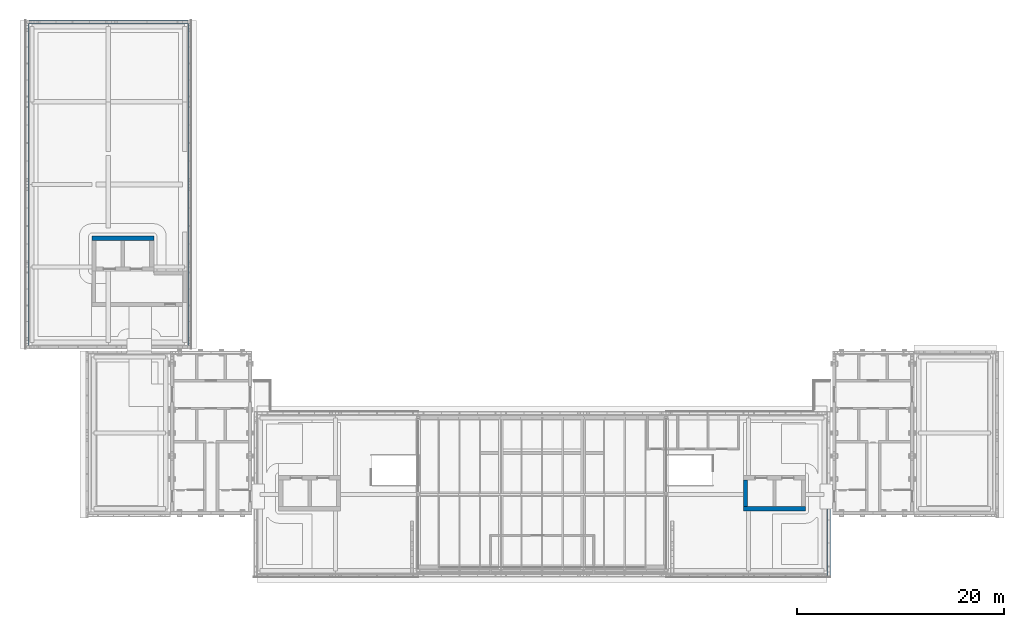
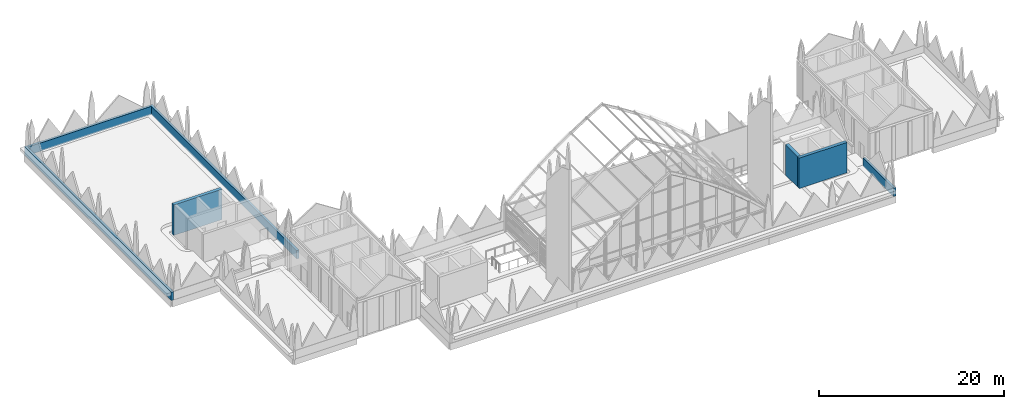
# One storey, part 12 of 18: 7 walls.
"""IFC4 building model written with IfcOpenShell, lengths in metres."""

from ifc_helpers import new_model, si_unit, direction, frame, frame_2d, origin, place, context, subcontext, project, spatial, rectangle, extrude, material, layer, layer_set, type_object, element, save


model = new_model("IFC4")

# Units and contexts
model_context = context("Model", 3, precision=1e-05, world=origin(), true_north=direction((0.0, 1.0)))
body_context = subcontext(model_context, "Body", "Model", "MODEL_VIEW")
ifc_project = project(units=[si_unit("LENGTHUNIT", "METRE"), si_unit("AREAUNIT", "SQUARE_METRE"), si_unit("VOLUMEUNIT", "CUBIC_METRE"), si_unit("PLANEANGLEUNIT", "RADIAN"), si_unit("MASSUNIT", "GRAM", prefix="KILO")], contexts=[model_context])

# Site, building, storey
site_placement = place(None, origin())
site = spatial("IfcSite", under=ifc_project, at=site_placement, CompositionType="ELEMENT")
building_placement = place(site_placement, origin())
building = spatial("IfcBuilding", under=site, at=building_placement, Name="Lantern Court Media Centre", CompositionType="ELEMENT")
storey_placement = place(building_placement, frame((0.0, 0.0, 33.60009765625)))
storey = spatial("IfcBuildingStorey", under=building, at=storey_placement, Name="R00", CompositionType="ELEMENT", Elevation=33.60009765625)

# Walls
ifc_material_1 = material(Name="Concrete C40", Category="concrete")
ifc_layer_1 = layer(ifc_material_1, 0.39990234375)
ifc_layer_set_1 = layer_set([ifc_layer_1], Name="Concrete C40")
wall_type_1 = type_object("IfcWallType", Name="RC SHEAR WALL 400", PredefinedType="SHEAR", material=ifc_layer_set_1)
wall_1_placement = place(storey_placement, frame((71.5, 48.60009765625, 0.0), z_axis=(0.0, 0.0, 1.0), x_axis=(1.0, 0.0, 0.0)))
element("IfcWall", 1, at=wall_1_placement, inside=storey, type_object=wall_type_1, Name="WB-S-LC2-R00-S", PredefinedType="SHEAR", context=body_context, shape_type="SweptSolid", body=[
    extrude(rectangle(XDim=6.0, YDim=0.39990234375, at=frame_2d((3.0, 0.0))), origin(), (0.0, 0.0, 1.0), 4.02001953125),
])
wall_2_placement = place(storey_placement, frame((71.699951171875, 48.800048828125, 0.0), z_axis=(0.0, 0.0, 1.0), x_axis=(0.0, 1.0, 0.0)))
element("IfcWall", 2, at=wall_2_placement, inside=storey, type_object=wall_type_1, Name="WB-S-LC2-R00-W", PredefinedType="SHEAR", context=body_context, shape_type="SweptSolid", body=[
    extrude(rectangle(XDim=2.599853515625, YDim=0.39990234375, at=frame_2d((1.2998046875, 0.0))), origin(), (0.0, 0.0, 1.0), 4.02001953125),
])
wall_3_placement = place(storey_placement, frame((8.39990234375, 74.800048828125, 0.0), z_axis=(0.0, 0.0, 1.0), x_axis=(1.0, 0.0, 0.0)))
element("IfcWall", 3, at=wall_3_placement, inside=storey, type_object=wall_type_1, Name="WB-W-LC-R00-N", PredefinedType="SHEAR", context=body_context, shape_type="SweptSolid", body=[
    extrude(rectangle(XDim=6.0, YDim=0.39990234375, at=frame_2d((3.0, 0.0))), origin(), (0.0, 0.0, 1.0), 4.02001953125),
])
ifc_material_2 = material(Name="Insulated rendered blockwork", Category="masonry")
ifc_layer_2 = layer(ifc_material_2, 0.300048828125)
ifc_layer_set_2 = layer_set([ifc_layer_2], Name="Insulated rendered blockwork")
wall_type_2 = type_object("IfcWallType", Name="Roof parapet 300", PredefinedType="PARAPET", material=ifc_layer_set_2)
wall_4_placement = place(storey_placement, frame((79.75, 42.0, 0.0), z_axis=(0.0, 0.0, 1.0), x_axis=(0.0, 1.0, 0.0)))
element("IfcWall", 4, at=wall_4_placement, inside=storey, type_object=wall_type_2, Name="Roof parapet PP-S", PredefinedType="PARAPET", context=body_context, shape_type="SweptSolid", body=[
    extrude(rectangle(XDim=6.60009765625, YDim=0.300048828125, at=frame_2d((3.300048828125, 0.0))), origin(), (0.0, 0.0, 1.0), 1.099853515625),
])
for number, where, z_axis, x_axis, name in (
    (5, (2.14990234375, 64.10009765625, 0.0), (0.0, 0.0, 1.0), (0.0, 1.0, 0.0), "Roof parapet PP-W"),
    (6, (17.85009765625, 64.10009765625, 0.0), (0.0, 0.0, 1.0), (0.0, 1.0, 0.0), "Roof parapet PP-W"),
):
    element("IfcWall", number, at=place(storey_placement, frame(where, z_axis=z_axis, x_axis=x_axis)), inside=storey, type_object=wall_type_2, Name=name, PredefinedType="PARAPET", context=body_context, shape_type="SweptSolid", body=[
        extrude(rectangle(XDim=31.7998046875, YDim=0.300048828125, at=frame_2d((15.89990234375, 0.0))), origin(), (0.0, 0.0, 1.0), 1.099853515625),
    ])
wall_5_placement = place(storey_placement, frame((2.300048828125, 95.75, 0.0), z_axis=(0.0, 0.0, 1.0), x_axis=(1.0, 0.0, 0.0)))
element("IfcWall", 7, at=wall_5_placement, inside=storey, type_object=wall_type_2, Name="Roof parapet PP-W", PredefinedType="PARAPET", context=body_context, shape_type="SweptSolid", body=[
    extrude(rectangle(XDim=15.39990234375, YDim=0.300048828125, at=frame_2d((7.699951171875, 0.0))), origin(), (0.0, 0.0, 1.0), 1.099853515625),
])

save(model, "model.ifc")
